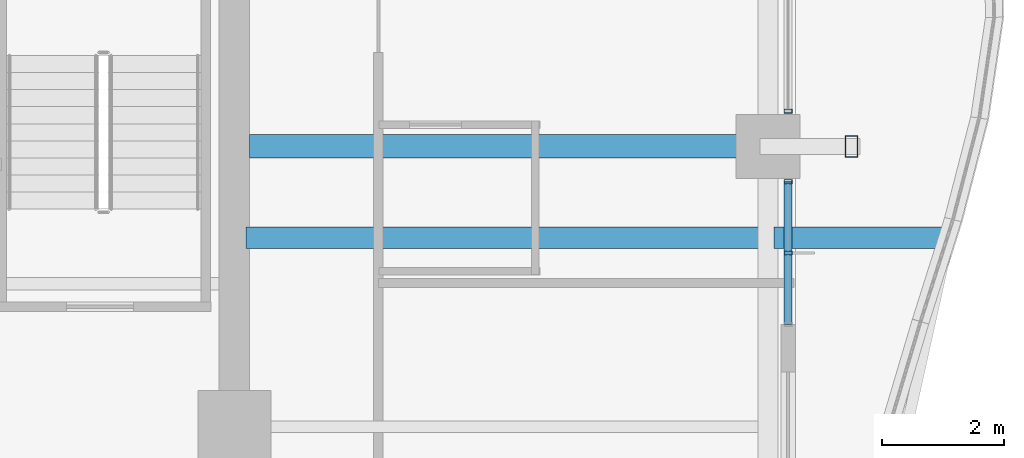
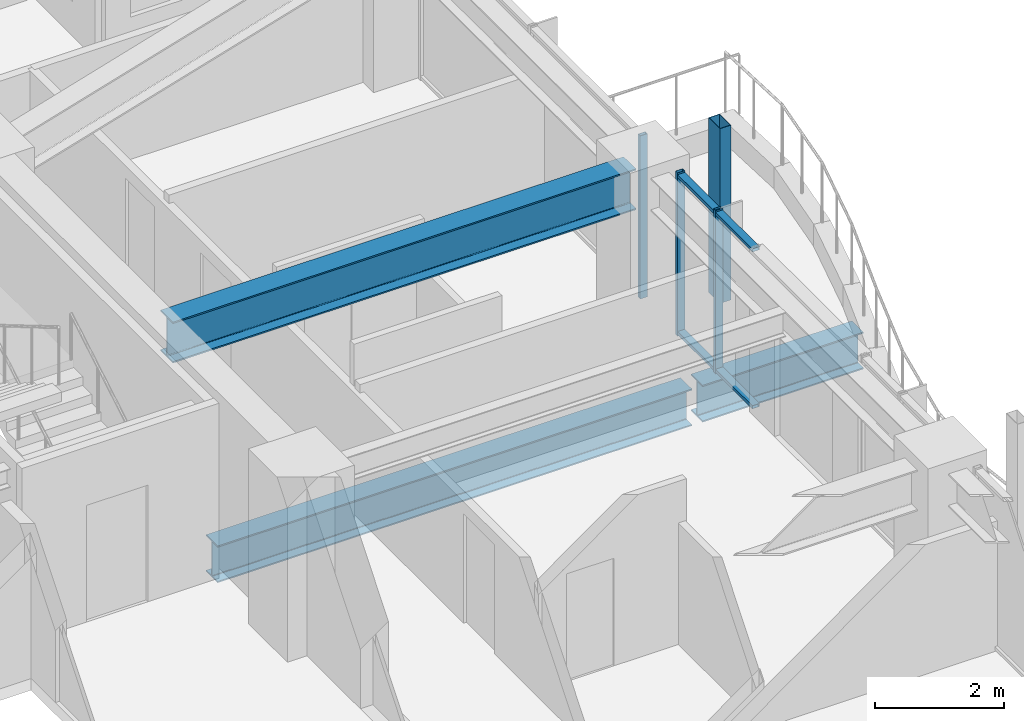
# One storey, part 18 of 38: 6 members, 3 beams, 2 elements without a shape of their own.
"""IFC4 building model written with IfcOpenShell, lengths in metres."""

from ifc_helpers import new_model, si_unit, direction, frame, origin, origin_2d, place, context, subcontext, project, spatial, hollow_rectangle, i_section, extrude, material, material_profile, profile_set, type_object, element, aggregate, save


model = new_model("IFC4")

# Units and contexts
model_context = context("Model", 3, precision=1e-05, world=origin(), true_north=direction((0.0, 1.0)))
body_context = subcontext(model_context, "Body", "Model", "MODEL_VIEW")
ifc_project = project(units=[si_unit("LENGTHUNIT", "METRE"), si_unit("AREAUNIT", "SQUARE_METRE"), si_unit("VOLUMEUNIT", "CUBIC_METRE"), si_unit("PLANEANGLEUNIT", "RADIAN"), si_unit("MASSUNIT", "GRAM", prefix="KILO")], contexts=[model_context])

# Site, building, storey
site_placement = place(None, origin())
site = spatial("IfcSite", under=ifc_project, at=site_placement, CompositionType="ELEMENT")
building_placement = place(site_placement, origin())
building = spatial("IfcBuilding", under=site, at=building_placement, Name="Kolvaren Belvedere", CompositionType="ELEMENT")
storey_placement = place(building_placement, frame((0.0, 0.0, 121.699951171875)))
storey = spatial("IfcBuildingStorey", under=building, at=storey_placement, Name="L35", CompositionType="ELEMENT", Elevation=121.699951171875)

# Beams
ifc_material_1 = material(Name="Structural steel ASTM A992 Grade 50", Category="steel")
ifc_material_profile_1 = material_profile(ifc_material_1, i_section(OverallWidth=0.35498046875, OverallDepth=0.696044921875, WebThickness=0.015380859375, FlangeThickness=0.02490234375, FilletRadius=0.02197265625, at=origin_2d()), Name="W27X146")
ifc_profile_set_1 = profile_set([ifc_material_profile_1], Name="Structural steel ASTM A992 Grade 50")
beam_type_1 = type_object("IfcBeamType", Name="BM-CANT-BAL", PredefinedType="BEAM", material=ifc_profile_set_1)
beam_1_placement = place(storey_placement, frame((18.7451171875, 3.10009765625, -0.56787109375), z_axis=(1.0, 0.0, 0.0), x_axis=(0.0, 1.0, 0.0)))
element("IfcBeam", 1, at=beam_1_placement, inside=storey, type_object=beam_type_1, Name="L35 Planted Balcony Cantilever BAL-E-2", PredefinedType="BEAM", context=body_context, shape_type="SweptSolid", body=[
    extrude(i_section(OverallWidth=0.35498046875, OverallDepth=0.696044921875, WebThickness=0.015380859375, FlangeThickness=0.02490234375, FilletRadius=0.02197265625, at=origin_2d()), origin(), (0.0, 0.0, 1.0), 2.869873046875),
])
ifc_material_2 = material(Name="Structural steel ASTM A992 Grade 50", Category="steel")
ifc_material_profile_2 = material_profile(ifc_material_2, i_section(OverallWidth=0.35498046875, OverallDepth=0.696044921875, WebThickness=0.015380859375, FlangeThickness=0.02490234375, FilletRadius=0.02197265625, at=origin_2d()), Name="W27X146")
ifc_profile_set_2 = profile_set([ifc_material_profile_2], Name="Structural steel ASTM A992 Grade 50")
beam_type_2 = type_object("IfcBeamType", Name="BM-GIRD-W27X146", PredefinedType="BEAM", material=ifc_profile_set_2)
beam_2_placement = place(storey_placement, frame((10.090087890625, 3.10009765625, -0.56787109375), z_axis=(1.0, 0.0, 0.0), x_axis=(0.0, 1.0, 0.0)))
element("IfcBeam", 2, at=beam_2_placement, inside=storey, type_object=beam_type_2, Name="L35 Balcony Interior Back-Span Girder BAL-E-2", PredefinedType="BEAM", context=body_context, shape_type="SweptSolid", body=[
    extrude(i_section(OverallWidth=0.35498046875, OverallDepth=0.696044921875, WebThickness=0.015380859375, FlangeThickness=0.02490234375, FilletRadius=0.02197265625, at=origin_2d()), origin(), (0.0, 0.0, 1.0), 8.46484375),
])
ifc_material_3 = material(Name="Structural steel ASTM A992 Grade 50", Category="steel")
ifc_material_profile_3 = material_profile(ifc_material_3, i_section(OverallWidth=0.381103515625, OverallDepth=0.77294921875, WebThickness=0.0166015625, FlangeThickness=0.027099609375, FilletRadius=0.02392578125, at=origin_2d()), Name="W30X173")
ifc_profile_set_3 = profile_set([ifc_material_profile_3], Name="Structural steel ASTM A992 Grade 50")
beam_type_3 = type_object("IfcBeamType", Name="BM-GIRD-W30X173", PredefinedType="BEAM", material=ifc_profile_set_3)
beam_3_placement = place(storey_placement, frame((10.14990234375, 4.60009765625, 2.693603515625), z_axis=(1.0, 0.0, 0.0), x_axis=(0.0, 1.0, 0.0)))
element("IfcBeam", 3, at=beam_3_placement, inside=storey, type_object=beam_type_3, Name="L35 East Radial Girder P", PredefinedType="BEAM", context=body_context, shape_type="SweptSolid", body=[
    extrude(i_section(OverallWidth=0.381103515625, OverallDepth=0.77294921875, WebThickness=0.0166015625, FlangeThickness=0.027099609375, FilletRadius=0.02392578125, at=origin_2d()), origin(), (0.0, 0.0, 1.0), 8.263916015625),
])

# Curtain wall, member
ifc_material_4 = material(Name="Anodised pale-metal aluminium AA 6063-T6", Category="aluminium")
curtain_wall_type = type_object("IfcCurtainWallType", Name="CW-Z3-WAIST", PredefinedType="NOTDEFINED", material=ifc_material_4)
curtain_wall_1_placement = place(storey_placement, origin())
curtain_wall_1 = element("IfcCurtainWall", 4, at=curtain_wall_1_placement, inside=storey, type_object=curtain_wall_type, Name="L35 Unitised Curtain Wall FCW-L35-E1-B1", PredefinedType="NOTDEFINED")
ifc_material_5 = material(Name="Anodised pale-metal aluminium AA 6063-T6", Category="aluminium")
ifc_material_profile_4 = material_profile(ifc_material_5, hollow_rectangle(XDim=0.06494140625, YDim=0.1298828125, WallThickness=0.00390625, at=origin_2d()), Name="ALU-MUL-130X65")
ifc_profile_set_4 = profile_set([ifc_material_profile_4], Name="Anodised pale-metal aluminium AA 6063-T6")
member_type_1 = type_object("IfcMemberType", Name="CW-MUL-130", PredefinedType="MULLION", material=ifc_profile_set_4)
member_1_placement = place(storey_placement, frame((18.97998046875, 5.177490234375, 0.0), z_axis=(0.0, 0.0, 1.0), x_axis=(0.0, 1.0, 0.0)))
member_1 = element("IfcMember", 5, at=member_1_placement, type_object=member_type_1, Name="FCW-L35-E1-B1 Unitised Mullion 3", PredefinedType="MULLION", context=body_context, shape_type="SweptSolid", body=[
    extrude(hollow_rectangle(XDim=0.06494140625, YDim=0.1298828125, WallThickness=0.00390625, at=origin_2d()), origin(), (0.0, 0.0, 1.0), 3.080078125),
])
aggregate(curtain_wall_1, [member_1])

# Curtain wall, members
curtain_wall_2_placement = place(storey_placement, origin())
curtain_wall_2 = element("IfcCurtainWall", 6, at=curtain_wall_2_placement, inside=storey, type_object=curtain_wall_type, Name="L35 Unitised Curtain Wall FCW-L35-E1-B2", PredefinedType="NOTDEFINED")
member_2_placement = place(storey_placement, frame((18.97998046875, 4.0224609375, 0.0), z_axis=(0.0, 0.0, 1.0), x_axis=(0.0, 1.0, 0.0)))
member_2 = element("IfcMember", 7, at=member_2_placement, type_object=member_type_1, Name="FCW-L35-E1-B2 Unitised Mullion 1", PredefinedType="MULLION", context=body_context, shape_type="SweptSolid", body=[
    extrude(hollow_rectangle(XDim=0.06494140625, YDim=0.1298828125, WallThickness=0.00390625, at=origin_2d()), origin(), (0.0, 0.0, 1.0), 3.080078125),
])
member_3_placement = place(storey_placement, frame((18.97998046875, 2.851318359375, 0.0), z_axis=(0.0, 0.0, 1.0), x_axis=(0.0, 1.0, 0.0)))
member_3 = element("IfcMember", 8, at=member_3_placement, type_object=member_type_1, Name="FCW-L35-E1-B2 Unitised Mullion 2", PredefinedType="MULLION", context=body_context, shape_type="SweptSolid", body=[
    extrude(hollow_rectangle(XDim=0.06494140625, YDim=0.1298828125, WallThickness=0.00390625, at=origin_2d()), origin(), (0.0, 0.0, 1.0), 3.080078125),
])
ifc_material_6 = material(Name="Anodised pale-metal aluminium AA 6063-T6", Category="aluminium")
ifc_material_profile_5 = material_profile(ifc_material_6, hollow_rectangle(XDim=0.06005859375, YDim=0.1298828125, WallThickness=0.00390625, at=origin_2d()), Name="ALU-TRN-130X60")
ifc_profile_set_5 = profile_set([ifc_material_profile_5], Name="Anodised pale-metal aluminium AA 6063-T6")
member_type_2 = type_object("IfcMemberType", Name="CW-TRN-130", PredefinedType="USERDEFINED", material=ifc_profile_set_5)
member_4_placement = place(storey_placement, frame((18.97998046875, 4.0224609375, 0.06005859375), z_axis=(0.0, -1.0, 0.0), x_axis=(0.0, 0.0, 1.0)))
member_4 = element("IfcMember", 9, at=member_4_placement, type_object=member_type_2, Name="FCW-L35-E1-B2 Sill Transom", ObjectType="TRANSOM", PredefinedType="USERDEFINED", context=body_context, shape_type="SweptSolid", body=[
    extrude(hollow_rectangle(XDim=0.06005859375, YDim=0.1298828125, WallThickness=0.00390625, at=origin_2d()), origin(), (0.0, 0.0, 1.0), 2.342529296875),
])
member_5_placement = place(storey_placement, frame((18.97998046875, 4.0224609375, 3.02001953125), z_axis=(0.0, -1.0, 0.0), x_axis=(0.0, 0.0, 1.0)))
member_5 = element("IfcMember", 10, at=member_5_placement, type_object=member_type_2, Name="FCW-L35-E1-B2 Head Transom", ObjectType="TRANSOM", PredefinedType="USERDEFINED", context=body_context, shape_type="SweptSolid", body=[
    extrude(hollow_rectangle(XDim=0.06005859375, YDim=0.1298828125, WallThickness=0.00390625, at=origin_2d()), origin(), (0.0, 0.0, 1.0), 2.342529296875),
])
aggregate(curtain_wall_2, [member_2, member_3, member_4, member_5])

# Member
ifc_material_7 = material(Name="Anodised pale-metal aluminium AA 6063-T6", Category="aluminium")
ifc_material_profile_6 = material_profile(ifc_material_7, hollow_rectangle(XDim=0.199951171875, YDim=0.35009765625, WallThickness=0.007568359375, at=origin_2d()), Name="ALU-PF-350X200")
ifc_profile_set_6 = profile_set([ifc_material_profile_6], Name="Anodised pale-metal aluminium AA 6063-T6")
member_type_3 = type_object("IfcMemberType", Name="PF-FRAME-350", PredefinedType="USERDEFINED", material=ifc_profile_set_6)
member_6_placement = place(storey_placement, frame((20.02001953125, 4.60009765625, 0.0), z_axis=(0.0, 0.0, 1.0), x_axis=(1.0, 0.0, 0.0)))
element("IfcMember", 11, at=member_6_placement, inside=storey, type_object=member_type_3, Name="L35 Outboard Picture-Frame Vertical E1", ObjectType="PICTURE FRAME FIN", PredefinedType="USERDEFINED", context=body_context, shape_type="SweptSolid", body=[
    extrude(hollow_rectangle(XDim=0.199951171875, YDim=0.35009765625, WallThickness=0.007568359375, at=origin_2d()), origin(), (0.0, 0.0, 1.0), 3.300048828125),
])

save(model, "model.ifc")
